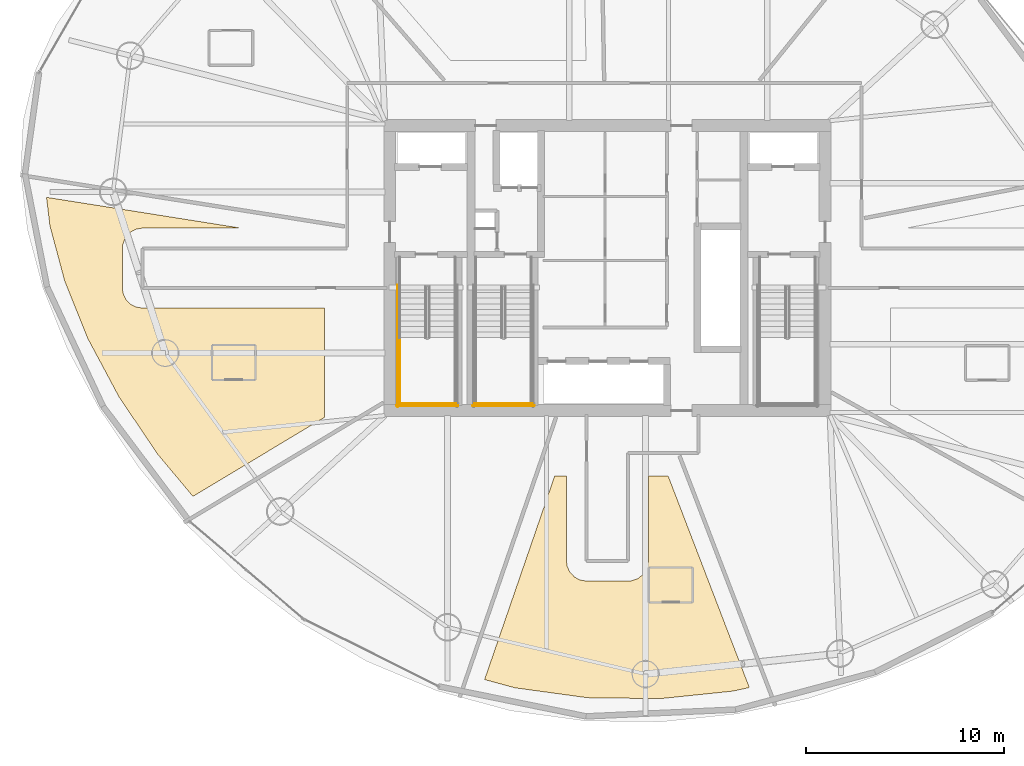
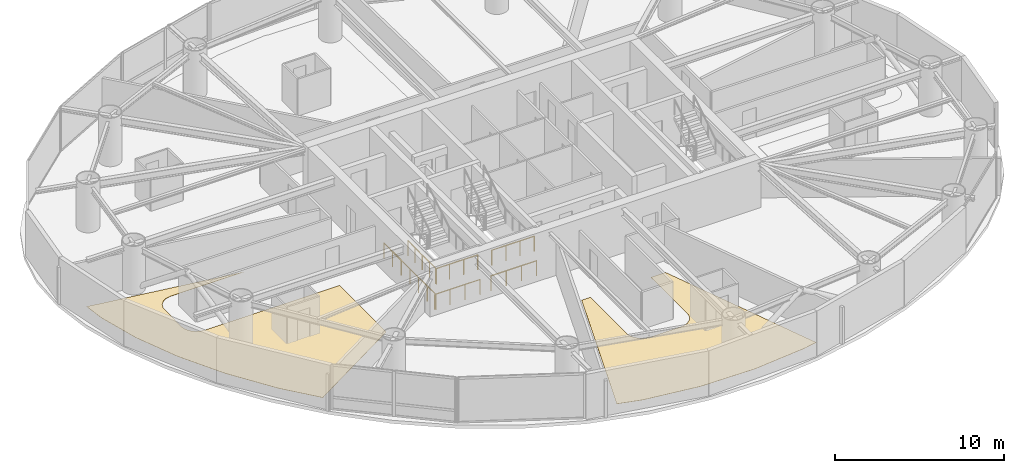
# One storey, part 17 of 19: 6 railings, 2 coverings.
"""IFC4 building model written with IfcOpenShell, lengths in metres."""

from ifc_helpers import new_model, si_unit, direction, frame, origin, origin_2d, place, context, subcontext, project, spatial, polyline, circle, outline, extrude, material, layer, layer_set, type_object, element, save


model = new_model("IFC4")

# Units and contexts
model_context = context("Model", 3, precision=1e-05, world=origin(), true_north=direction((0.0, 1.0)))
body_context = subcontext(model_context, "Body", "Model", "MODEL_VIEW")
ifc_project = project(units=[si_unit("LENGTHUNIT", "METRE"), si_unit("AREAUNIT", "SQUARE_METRE"), si_unit("VOLUMEUNIT", "CUBIC_METRE"), si_unit("PLANEANGLEUNIT", "RADIAN"), si_unit("MASSUNIT", "GRAM", prefix="KILO")], contexts=[model_context])

# Site, building, storey
site_placement = place(None, origin())
site = spatial("IfcSite", under=ifc_project, at=site_placement, CompositionType="ELEMENT")
building_placement = place(site_placement, origin())
building = spatial("IfcBuilding", under=site, at=building_placement, Name="Bramvorn Convention Spire", CompositionType="ELEMENT")
storey_placement = place(building_placement, frame((0.0, 0.0, 109.800048828125)))
storey = spatial("IfcBuildingStorey", under=building, at=storey_placement, Name="L26", CompositionType="ELEMENT", Elevation=109.800048828125)

# Coverings
ifc_material_1 = material(Name="Solution-Dyed Wool Broadloom Hospitality Carpet", Category="textile")
ifc_layer = layer(ifc_material_1, 0.014892578125)
ifc_layer_set = layer_set([ifc_layer], Name="Solution-Dyed Wool Broadloom Hospitality Carpet - FLR-CARPET-15")
covering_type = type_object("IfcCoveringType", Name="FLR-CARPET-15", PredefinedType="FLOORING", material=ifc_layer_set)
covering_1_placement = place(storey_placement, origin())
element("IfcCovering", 1, at=covering_1_placement, inside=storey, type_object=covering_type, Name="Hotel Suite 2605 wool broadloom carpet", PredefinedType="FLOORING", context=body_context, shape_type="SweptSolid", body=[
    extrude(outline(polyline([(15.265869140625, 16.59814453125), (17.051025390625, 14.462646484375), (23.699951171875, 18.457763671875), (23.699951171875, 23.97998046875), (14.5, 23.97998046875), (14.15087890625, 24.041748046875), (13.8876953125, 24.184326171875), (13.67724609375, 24.397216796875), (13.537841796875, 24.662109375), (13.481689453125, 24.944091796875), (13.490234375, 27.143798828125), (13.622314453125, 27.519287109375), (13.8876953125, 27.815673828125), (14.15087890625, 27.958251953125), (14.455810546875, 28.018798828125), (19.492919921875, 28.02001953125), (9.650390625, 29.578857421875), (9.822998046875, 28.14404296875), (10.57177734375, 25.3427734375), (11.73974609375, 22.438720703125), (13.311279296875, 19.496826171875), (15.265869140625, 16.59814453125)])), origin(), (0.0, 0.0, 1.0), 0.014892578125),
])
covering_2_placement = place(storey_placement, origin())
element("IfcCovering", 2, at=covering_2_placement, inside=storey, type_object=covering_type, Name="Hotel Suite 2607 wool broadloom carpet", PredefinedType="FLOORING", context=body_context, shape_type="SweptSolid", body=[
    extrude(outline(polyline([(44.330810546875, 4.619873046875), (45.173583984375, 4.800537109375), (41.06640625, 15.5), (40.070068359375, 15.5), (40.06884765625, 11.15576171875), (40.01220703125, 10.862060546875), (39.865478515625, 10.587646484375), (39.5693359375, 10.322265625), (39.19384765625, 10.190185546875), (36.949951171875, 10.179931640625), (36.612060546875, 10.23779296875), (36.337646484375, 10.384521484375), (36.078369140625, 10.670654296875), (35.962158203125, 10.946533203125), (35.929931640625, 11.199951171875), (35.929931640625, 15.5), (35.33642578125, 15.5), (31.791748046875, 5.205810546875), (33.325439453125, 4.78857421875), (36.98828125, 4.287353515625), (40.681640625, 4.24169921875), (44.330810546875, 4.619873046875)])), origin(), (0.0, 0.0, 1.0), 0.014892578125),
])

# Railings
ifc_material_2 = material(Name="Painted Steel Balustrade & Guardrail", Category="steel")
railing_type = type_object("IfcRailingType", Name="RL-STAIR-GUARD-1100", PredefinedType="GUARDRAIL", material=ifc_material_2)
railing_1_placement = place(storey_placement, frame((27.5, 22.485107421875, 1.75)))
element("IfcRailing", 3, at=railing_1_placement, inside=storey, type_object=railing_type, Name="L26 ST1 stair guard 3", PredefinedType="GUARDRAIL", context=body_context, shape_type="SweptSolid", body=[
    extrude(circle(Radius=0.02392578125, at=origin_2d()), frame((0.0, 0.0, 1.076171875), z_axis=(0.0, -1.0, 0.0), x_axis=(1.0, 0.0, 0.0)), (0.0, 0.0, 1.0), 3.385009765625),
    extrude(circle(Radius=0.02099609375, at=origin_2d()), origin(), (0.0, 0.0, 1.0), 1.052001953125),
    extrude(circle(Radius=0.02099609375, at=origin_2d()), frame((0.0, -0.84619140625, 0.0)), (0.0, 0.0, 1.0), 1.052001953125),
    extrude(circle(Radius=0.02099609375, at=origin_2d()), frame((0.0, -1.6923828125, 0.0)), (0.0, 0.0, 1.0), 1.052001953125),
    extrude(circle(Radius=0.02099609375, at=origin_2d()), frame((0.0, -2.538818359375, 0.0)), (0.0, 0.0, 1.0), 1.052001953125),
    extrude(circle(Radius=0.02099609375, at=origin_2d()), frame((0.0, -3.385009765625, 0.0)), (0.0, 0.0, 1.0), 1.052001953125),
])
railing_2_placement = place(storey_placement, frame((27.449951171875, 19.14990234375, 1.75)))
element("IfcRailing", 4, at=railing_2_placement, inside=storey, type_object=railing_type, Name="L26 ST1 stair guard 5", PredefinedType="GUARDRAIL", context=body_context, shape_type="SweptSolid", body=[
    extrude(circle(Radius=0.02392578125, at=origin_2d()), frame((0.0, 0.0, 1.076171875), z_axis=(1.0, 0.0, 0.0), x_axis=(0.0, 1.0, 0.0)), (0.0, 0.0, 1.0), 2.900146484375),
    extrude(circle(Radius=0.02099609375, at=origin_2d()), origin(), (0.0, 0.0, 1.0), 1.052001953125),
    extrude(circle(Radius=0.02099609375, at=origin_2d()), frame((0.966796875, 0.0, 0.0)), (0.0, 0.0, 1.0), 1.052001953125),
    extrude(circle(Radius=0.02099609375, at=origin_2d()), frame((1.933349609375, 0.0, 0.0)), (0.0, 0.0, 1.0), 1.052001953125),
    extrude(circle(Radius=0.02099609375, at=origin_2d()), frame((2.900146484375, 0.0, 0.0)), (0.0, 0.0, 1.0), 1.052001953125),
])
railing_3_placement = place(storey_placement, frame((27.39990234375, 25.14990234375, 0.0)))
element("IfcRailing", 5, at=railing_3_placement, inside=storey, type_object=railing_type, Name="L26 ST1 stair guard 10", PredefinedType="GUARDRAIL", context=body_context, shape_type="SweptSolid", body=[
    extrude(circle(Radius=0.02392578125, at=origin_2d()), frame((0.0, 0.0, 1.076171875), z_axis=(0.0, -1.0, 0.0), x_axis=(1.0, 0.0, 0.0)), (0.0, 0.0, 1.0), 6.14990234375),
    extrude(circle(Radius=0.02099609375, at=origin_2d()), origin(), (0.0, 0.0, 1.0), 1.052001953125),
    extrude(circle(Radius=0.02099609375, at=origin_2d()), frame((0.0, -1.02490234375, 0.0)), (0.0, 0.0, 1.0), 1.052001953125),
    extrude(circle(Radius=0.02099609375, at=origin_2d()), frame((0.0, -2.050048828125, 0.0)), (0.0, 0.0, 1.0), 1.052001953125),
    extrude(circle(Radius=0.02099609375, at=origin_2d()), frame((0.0, -3.074951171875, 0.0)), (0.0, 0.0, 1.0), 1.052001953125),
    extrude(circle(Radius=0.02099609375, at=origin_2d()), frame((0.0, -4.099853515625, 0.0)), (0.0, 0.0, 1.0), 1.052001953125),
    extrude(circle(Radius=0.02099609375, at=origin_2d()), frame((0.0, -5.125, 0.0)), (0.0, 0.0, 1.0), 1.052001953125),
    extrude(circle(Radius=0.02099609375, at=origin_2d()), frame((0.0, -6.14990234375, 0.0)), (0.0, 0.0, 1.0), 1.052001953125),
])
railing_4_placement = place(storey_placement, frame((27.35009765625, 19.050048828125, 0.0)))
element("IfcRailing", 6, at=railing_4_placement, inside=storey, type_object=railing_type, Name="L26 ST1 stair guard 12", PredefinedType="GUARDRAIL", context=body_context, shape_type="SweptSolid", body=[
    extrude(circle(Radius=0.02392578125, at=origin_2d()), frame((0.0, 0.0, 1.076171875), z_axis=(1.0, 0.0, 0.0), x_axis=(0.0, 1.0, 0.0)), (0.0, 0.0, 1.0), 3.099853515625),
    extrude(circle(Radius=0.02099609375, at=origin_2d()), origin(), (0.0, 0.0, 1.0), 1.052001953125),
    extrude(circle(Radius=0.02099609375, at=origin_2d()), frame((1.033203125, 0.0, 0.0)), (0.0, 0.0, 1.0), 1.052001953125),
    extrude(circle(Radius=0.02099609375, at=origin_2d()), frame((2.066650390625, 0.0, 0.0)), (0.0, 0.0, 1.0), 1.052001953125),
    extrude(circle(Radius=0.02099609375, at=origin_2d()), frame((3.099853515625, 0.0, 0.0)), (0.0, 0.0, 1.0), 1.052001953125),
])
railing_5_placement = place(storey_placement, frame((31.300048828125, 19.14990234375, 1.75)))
element("IfcRailing", 7, at=railing_5_placement, inside=storey, type_object=railing_type, Name="L26 ST3 stair guard 5", PredefinedType="GUARDRAIL", context=body_context, shape_type="SweptSolid", body=[
    extrude(circle(Radius=0.02392578125, at=origin_2d()), frame((0.0, 0.0, 1.076171875), z_axis=(1.0, 0.0, 0.0), x_axis=(0.0, 1.0, 0.0)), (0.0, 0.0, 1.0), 2.89990234375),
    extrude(circle(Radius=0.02099609375, at=origin_2d()), origin(), (0.0, 0.0, 1.0), 1.052001953125),
    extrude(circle(Radius=0.02099609375, at=origin_2d()), frame((0.966552734375, 0.0, 0.0)), (0.0, 0.0, 1.0), 1.052001953125),
    extrude(circle(Radius=0.02099609375, at=origin_2d()), frame((1.933349609375, 0.0, 0.0)), (0.0, 0.0, 1.0), 1.052001953125),
    extrude(circle(Radius=0.02099609375, at=origin_2d()), frame((2.89990234375, 0.0, 0.0)), (0.0, 0.0, 1.0), 1.052001953125),
])
railing_6_placement = place(storey_placement, frame((31.199951171875, 19.050048828125, 0.0)))
element("IfcRailing", 8, at=railing_6_placement, inside=storey, type_object=railing_type, Name="L26 ST3 stair guard 12", PredefinedType="GUARDRAIL", context=body_context, shape_type="SweptSolid", body=[
    extrude(circle(Radius=0.02392578125, at=origin_2d()), frame((0.0, 0.0, 1.076171875), z_axis=(1.0, 0.0, 0.0), x_axis=(0.0, 1.0, 0.0)), (0.0, 0.0, 1.0), 3.10009765625),
    extrude(circle(Radius=0.02099609375, at=origin_2d()), origin(), (0.0, 0.0, 1.0), 1.052001953125),
    extrude(circle(Radius=0.02099609375, at=origin_2d()), frame((1.033447265625, 0.0, 0.0)), (0.0, 0.0, 1.0), 1.052001953125),
    extrude(circle(Radius=0.02099609375, at=origin_2d()), frame((2.066650390625, 0.0, 0.0)), (0.0, 0.0, 1.0), 1.052001953125),
    extrude(circle(Radius=0.02099609375, at=origin_2d()), frame((3.10009765625, 0.0, 0.0)), (0.0, 0.0, 1.0), 1.052001953125),
])

save(model, "model.ifc")
